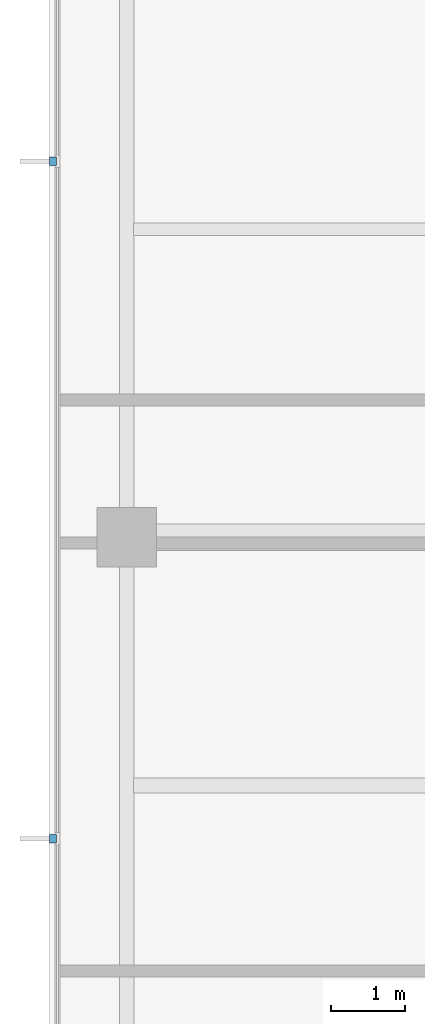
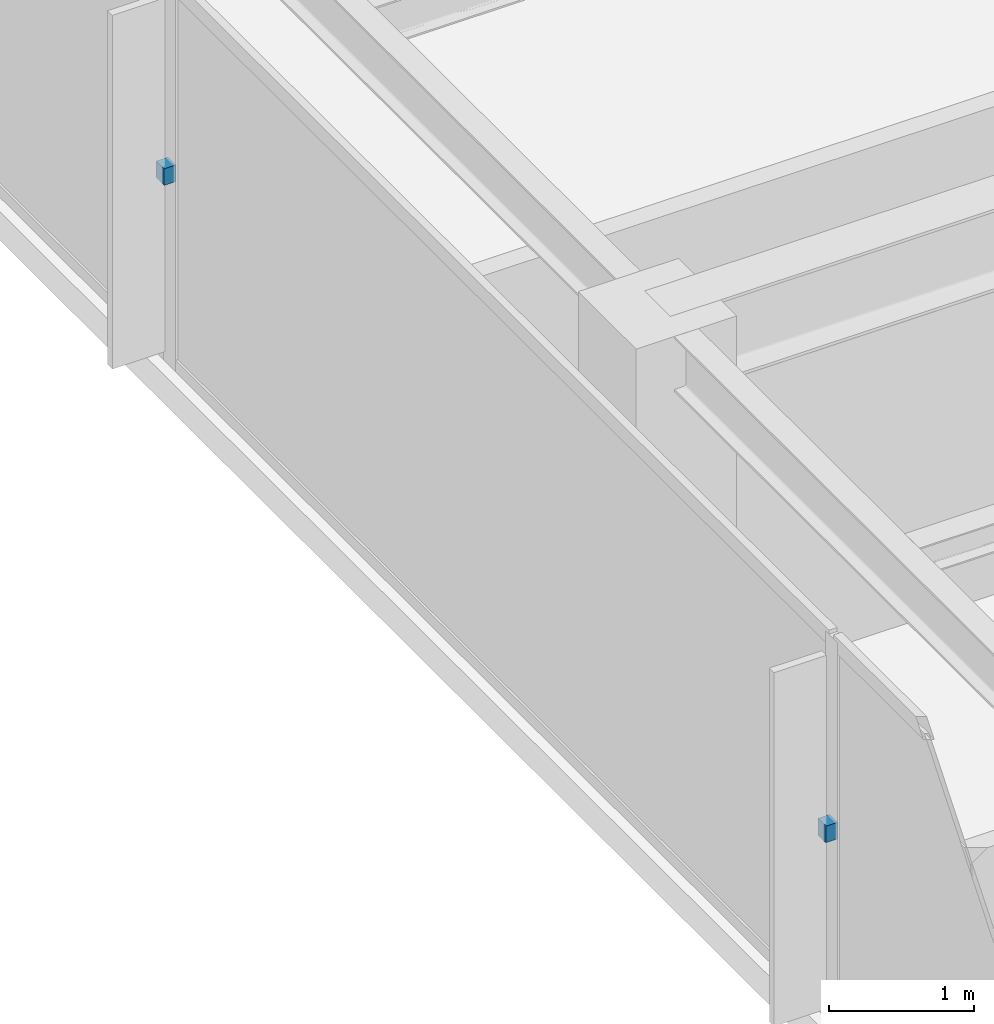
# One storey, part 9 of 11: 2 discrete accessories.
"""IFC4 building model written with IfcOpenShell, lengths in metres."""

from ifc_helpers import new_model, si_unit, direction, frame, origin, place, context, subcontext, project, spatial, polyline, outline, extrude, material, type_object, element, save


model = new_model("IFC4")

# Units and contexts
model_context = context("Model", 3, precision=1e-05, world=origin(), true_north=direction((0.0, 1.0)))
body_context = subcontext(model_context, "Body", "Model", "MODEL_VIEW")
ifc_project = project(units=[si_unit("LENGTHUNIT", "METRE"), si_unit("AREAUNIT", "SQUARE_METRE"), si_unit("VOLUMEUNIT", "CUBIC_METRE"), si_unit("PLANEANGLEUNIT", "RADIAN"), si_unit("MASSUNIT", "GRAM", prefix="KILO")], contexts=[model_context])

# Site, building, storey
site_placement = place(None, origin())
site = spatial("IfcSite", under=ifc_project, at=site_placement, CompositionType="ELEMENT")
building_placement = place(site_placement, origin())
building = spatial("IfcBuilding", under=site, at=building_placement, Name="Qalmaran Belvedere Hotel", CompositionType="ELEMENT")
storey_placement = place(building_placement, frame((0.0, 0.0, 242.39990234375)))
storey = spatial("IfcBuildingStorey", under=building, at=storey_placement, Name="L62", CompositionType="ELEMENT", Elevation=242.39990234375)

# Discrete accessories
ifc_material = material(Name="Stainless Steel 1.4401", Category="steel")
discrete_accessory_type = type_object("IfcDiscreteAccessoryType", Name="BRK-FIN-SS316", PredefinedType="BRACKET", material=ifc_material)
discrete_accessory_1_placement = place(storey_placement, frame((0.0, 0.0, 1.580078125)))
element("IfcDiscreteAccessory", 1, at=discrete_accessory_1_placement, inside=storey, type_object=discrete_accessory_type, Name="L62 Fin Bracket 1", PredefinedType="BRACKET", context=body_context, shape_type="SweptSolid", body=[
    extrude(outline(polyline([(11.455078125, 25.62158203125), (11.362548828125, 25.62158203125), (11.362548828125, 25.51171875), (11.455078125, 25.51171875), (11.455078125, 25.62158203125)])), origin(), (0.0, 0.0, 1.0), 0.14013671875),
])
discrete_accessory_2_placement = place(storey_placement, frame((0.0, 0.0, 1.580078125)))
element("IfcDiscreteAccessory", 2, at=discrete_accessory_2_placement, inside=storey, type_object=discrete_accessory_type, Name="L62 Fin Bracket 2", PredefinedType="BRACKET", context=body_context, shape_type="SweptSolid", body=[
    extrude(outline(polyline([(11.455078125, 16.48828125), (11.362548828125, 16.48828125), (11.362548828125, 16.37841796875), (11.455078125, 16.37841796875), (11.455078125, 16.48828125)])), origin(), (0.0, 0.0, 1.0), 0.14013671875),
])

save(model, "model.ifc")
